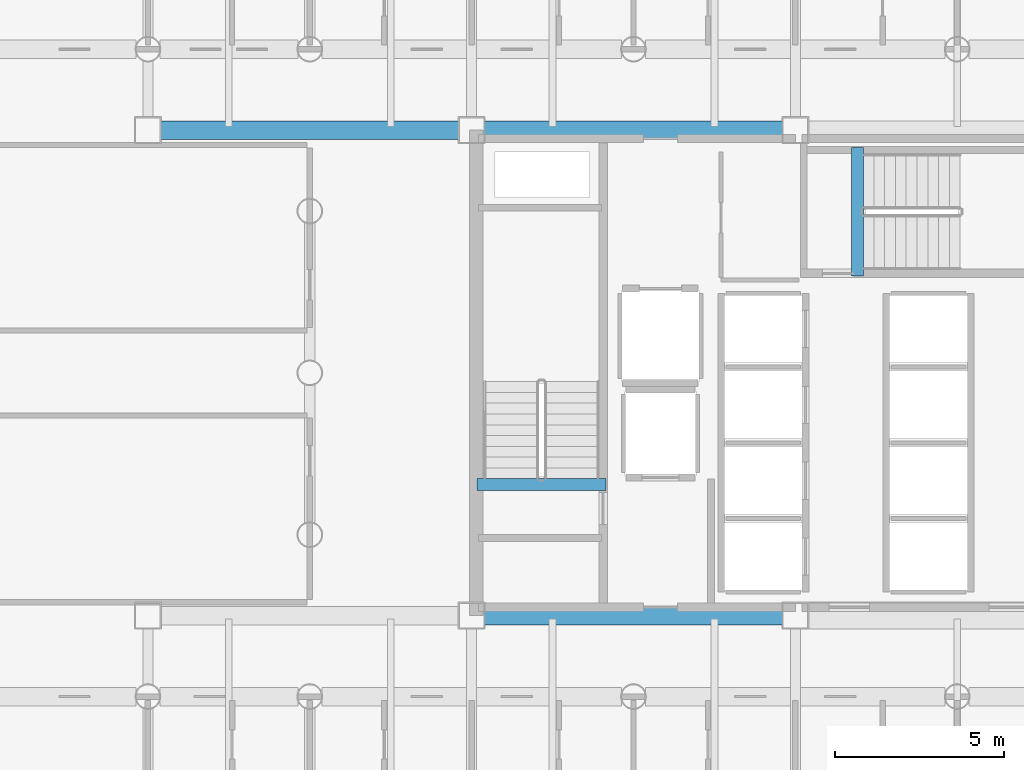
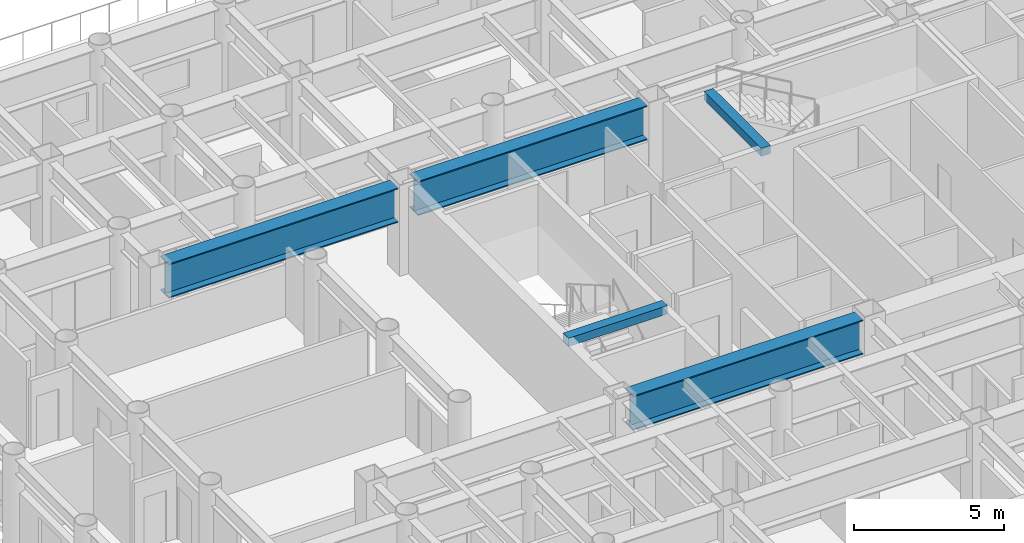
# One storey, part 5 of 24: 5 beams.
"""IFC4 building model written with IfcOpenShell, lengths in metres."""

from ifc_helpers import new_model, si_unit, direction, frame, origin, origin_2d, place, context, subcontext, project, spatial, rectangle, i_section, extrude, material, material_profile, profile_set, type_object, element, save


model = new_model("IFC4")

# Units and contexts
model_context = context("Model", 3, precision=1e-05, world=origin(), true_north=direction((0.0, 1.0)))
body_context = subcontext(model_context, "Body", "Model", "MODEL_VIEW")
ifc_project = project(units=[si_unit("LENGTHUNIT", "METRE"), si_unit("AREAUNIT", "SQUARE_METRE"), si_unit("VOLUMEUNIT", "CUBIC_METRE"), si_unit("PLANEANGLEUNIT", "RADIAN"), si_unit("MASSUNIT", "GRAM", prefix="KILO")], contexts=[model_context])

# Site, building, storey
site_placement = place(None, origin())
site = spatial("IfcSite", under=ifc_project, at=site_placement, CompositionType="ELEMENT")
building_placement = place(site_placement, origin())
building = spatial("IfcBuilding", under=site, at=building_placement, Name="Kallvorn Hotel Tower", CompositionType="ELEMENT")
storey_placement = place(building_placement, frame((0.0, 0.0, 30.0)))
storey = spatial("IfcBuildingStorey", under=building, at=storey_placement, Name="L05", CompositionType="ELEMENT", Elevation=30.0)

# Beams
ifc_material_1 = material(Name="Structural steel S355JR", Category="steel")
ifc_material_profile_1 = material_profile(ifc_material_1, i_section(OverallWidth=0.550048828125, OverallDepth=1.39990234375, WebThickness=0.02490234375, FlangeThickness=0.044921875, at=origin_2d()), Name="PG 1400x550x25x45")
ifc_profile_set_1 = profile_set([ifc_material_profile_1], Name="Structural steel S355JR")
beam_type_1 = type_object("IfcBeamType", Name="BM_PG_1400", PredefinedType="BEAM", material=ifc_profile_set_1)
beam_1_placement = place(storey_placement, frame((-14.02490234375, -7.199951171875, 2.820068359375), z_axis=(1.0, 0.0, 0.0), x_axis=(0.0, 1.0, 0.0)))
element("IfcBeam", 1, at=beam_1_placement, inside=storey, type_object=beam_type_1, Name="L06 Primary X-Girder 34", PredefinedType="BEAM", context=body_context, shape_type="SweptSolid", body=[
    extrude(i_section(OverallWidth=0.550048828125, OverallDepth=1.39990234375, WebThickness=0.02490234375, FlangeThickness=0.044921875, at=origin_2d()), origin(), (0.0, 0.0, 1.0), 8.849853515625),
])
beam_2_placement = place(storey_placement, frame((-23.625, 7.199951171875, 2.820068359375), z_axis=(1.0, 0.0, 0.0), x_axis=(0.0, 1.0, 0.0)))
element("IfcBeam", 2, at=beam_2_placement, inside=storey, type_object=beam_type_1, Name="L06 Primary X-Girder 37", PredefinedType="BEAM", context=body_context, shape_type="SweptSolid", body=[
    extrude(i_section(OverallWidth=0.550048828125, OverallDepth=1.39990234375, WebThickness=0.02490234375, FlangeThickness=0.044921875, at=origin_2d()), origin(), (0.0, 0.0, 1.0), 8.85009765625),
])
beam_3_placement = place(storey_placement, frame((-14.02490234375, 7.199951171875, 2.820068359375), z_axis=(1.0, 0.0, 0.0), x_axis=(0.0, 1.0, 0.0)))
element("IfcBeam", 3, at=beam_3_placement, inside=storey, type_object=beam_type_1, Name="L06 Primary X-Girder 38", PredefinedType="BEAM", context=body_context, shape_type="SweptSolid", body=[
    extrude(i_section(OverallWidth=0.550048828125, OverallDepth=1.39990234375, WebThickness=0.02490234375, FlangeThickness=0.044921875, at=origin_2d()), origin(), (0.0, 0.0, 1.0), 8.849853515625),
])
ifc_material_2 = material(Name="Concrete C50/60", Category="concrete")
ifc_material_profile_2 = material_profile(ifc_material_2, rectangle(XDim=0.360107421875, YDim=0.340087890625, at=origin_2d()), Name="RC 360x340")
ifc_profile_set_2 = profile_set([ifc_material_profile_2], Name="Concrete C50/60")
beam_type_2 = type_object("IfcBeamType", Name="BM_RC_400x360", PredefinedType="BEAM", material=ifc_profile_set_2)
beam_4_placement = place(storey_placement, frame((-10.419921875, -3.31005859375, 3.35009765625), z_axis=(-1.0, 0.0, 0.0), x_axis=(0.0, -1.0, 0.0)))
element("IfcBeam", 4, at=beam_4_placement, inside=storey, type_object=beam_type_2, Name="L06 Stair ST1 Arrival Trimmer Beam", PredefinedType="BEAM", context=body_context, shape_type="SweptSolid", body=[
    extrude(rectangle(XDim=0.360107421875, YDim=0.340087890625, at=origin_2d()), origin(), (0.0, 0.0, 1.0), 3.820068359375),
])
beam_5_placement = place(storey_placement, frame((-2.9599609375, 2.8701171875, 3.35009765625), z_axis=(0.0, 1.0, 0.0), x_axis=(-1.0, 0.0, 0.0)))
element("IfcBeam", 5, at=beam_5_placement, inside=storey, type_object=beam_type_2, Name="L06 Stair ST3 Arrival Trimmer Beam", PredefinedType="BEAM", context=body_context, shape_type="SweptSolid", body=[
    extrude(rectangle(XDim=0.360107421875, YDim=0.340087890625, at=origin_2d()), origin(), (0.0, 0.0, 1.0), 3.81982421875),
])

save(model, "model.ifc")
